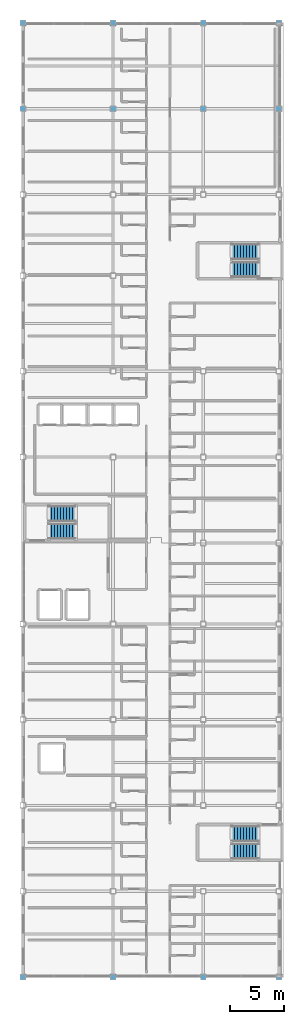
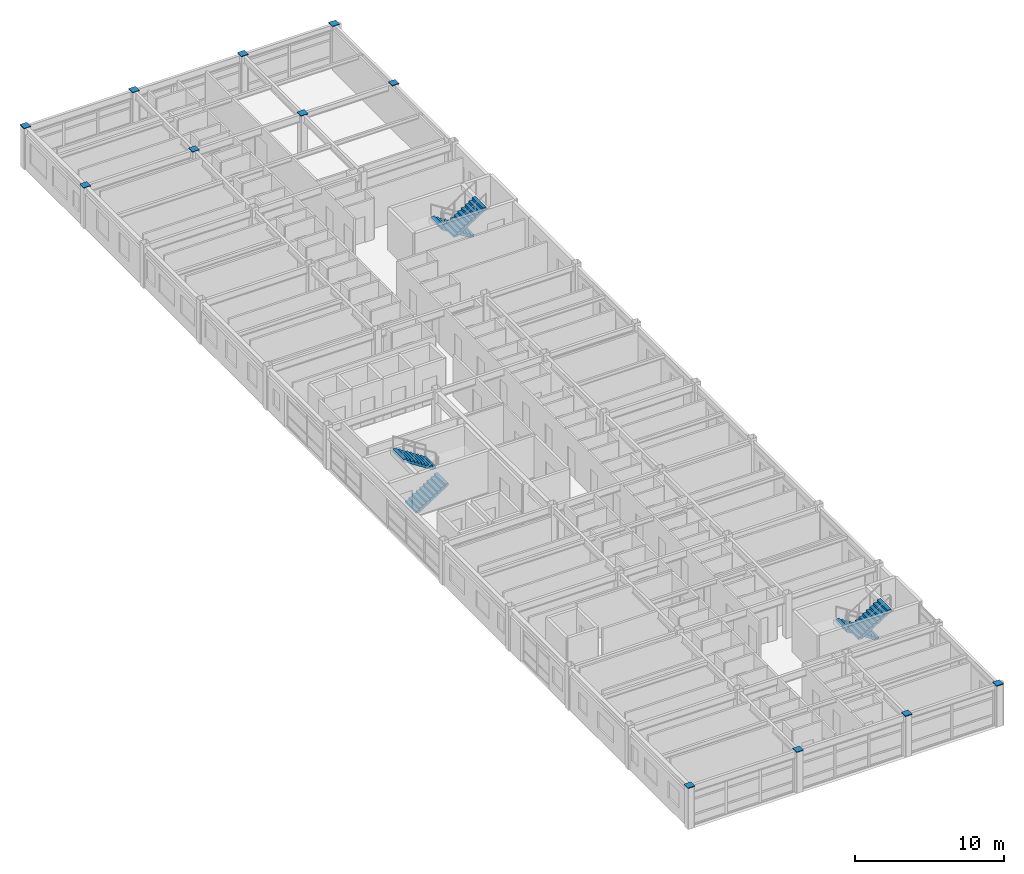
# One storey, part 31 of 33: 12 discrete accessories, 6 stair flights, 3 elements without a shape of their own.
"""IFC4 building model written with IfcOpenShell, lengths in metres."""

from ifc_helpers import new_model, si_unit, direction, frame, origin, origin_2d, place, context, subcontext, project, spatial, polyline, rectangle, outline, extrude, material, layer, layer_set, type_object, element, aggregate, save


model = new_model("IFC4")

# Units and contexts
model_context = context("Model", 3, precision=1e-05, world=origin(), true_north=direction((0.0, 1.0)))
body_context = subcontext(model_context, "Body", "Model", "MODEL_VIEW")
ifc_project = project(units=[si_unit("LENGTHUNIT", "METRE"), si_unit("AREAUNIT", "SQUARE_METRE"), si_unit("VOLUMEUNIT", "CUBIC_METRE"), si_unit("PLANEANGLEUNIT", "RADIAN"), si_unit("MASSUNIT", "GRAM", prefix="KILO")], contexts=[model_context])

# Site, building, storey
site_placement = place(None, origin())
site = spatial("IfcSite", under=ifc_project, at=site_placement, CompositionType="ELEMENT")
building_placement = place(site_placement, origin())
building = spatial("IfcBuilding", under=site, at=building_placement, Name="Kazehara Bluff Congress Hotel", CompositionType="ELEMENT")
storey_placement = place(building_placement, frame((0.0, 0.0, 39.0)))
storey = spatial("IfcBuildingStorey", under=building, at=storey_placement, Name="L09", CompositionType="ELEMENT", Elevation=39.0)

# Stair, stair flights
ifc_material_1 = material(Name="Concrete C36/45", Category="concrete")
stair_type = type_object("IfcStairType", Name="TP-ST-T03", PredefinedType="HALF_TURN_STAIR", material=ifc_material_1)
stair_1_placement = place(storey_placement, origin())
stair_1 = element("IfcStair", 1, at=stair_1_placement, inside=storey, type_object=stair_type, Name="L09 Escape stair ST-10", PredefinedType="HALF_TURN_STAIR")
ifc_material_2 = material(Name="Concrete C36/45", Category="concrete")
stair_flight_type = type_object("IfcStairFlightType", Name="TP-SF-T03", PredefinedType="STRAIGHT", material=ifc_material_2)
stair_flight_1_placement = place(storey_placement, frame((165.64990234375, 21.375, 0.0), z_axis=(0.0, 0.0, 1.0), x_axis=(-1.0, 0.0, 0.0)))
stair_flight_1 = element("IfcStairFlight", 2, at=stair_flight_1_placement, type_object=stair_flight_type, Name="ST-10 flight 1", NumberOfRisers=10, NumberOfTreads=9, PredefinedType="STRAIGHT", RiserHeight=0.18, TreadLength=0.28, context=body_context, shape_type="SweptSolid", body=[
    extrude(outline(polyline([(0.0, 0.0), (0.0, 0.179931640625), (0.280029296875, 0.179931640625), (0.280029296875, 0.360107421875), (0.56005859375, 0.360107421875), (0.56005859375, 0.5400390625), (0.840087890625, 0.5400390625), (0.840087890625, 0.719970703125), (1.1201171875, 0.719970703125), (1.1201171875, 0.89990234375), (1.39990234375, 0.89990234375), (1.39990234375, 1.080078125), (1.679931640625, 1.080078125), (1.679931640625, 1.260009765625), (1.9599609375, 1.260009765625), (1.9599609375, 1.43994140625), (2.239990234375, 1.43994140625), (2.239990234375, 1.6201171875), (2.52001953125, 1.6201171875), (2.52001953125, 1.800048828125), (2.52001953125, 1.429931640625), (0.295654296875, 0.0), (0.0, 0.0)])), frame((0.0, 0.72509765625, 0.0), z_axis=(0.0, -1.0, 0.0), x_axis=(1.0, 0.0, 0.0)), (0.0, 0.0, 1.0), 1.449951171875),
])
stair_flight_2_placement = place(storey_placement, frame((163.1298828125, 19.72509765625, 1.800048828125), z_axis=(0.0, 0.0, 1.0), x_axis=(1.0, 0.0, 0.0)))
stair_flight_2 = element("IfcStairFlight", 3, at=stair_flight_2_placement, type_object=stair_flight_type, Name="ST-10 flight 2", NumberOfRisers=10, NumberOfTreads=9, PredefinedType="STRAIGHT", RiserHeight=0.18, TreadLength=0.28, context=body_context, shape_type="SweptSolid", body=[
    extrude(outline(polyline([(0.0, 0.0), (0.0, 0.179931640625), (0.280029296875, 0.179931640625), (0.280029296875, 0.360107421875), (0.56005859375, 0.360107421875), (0.56005859375, 0.5400390625), (0.840087890625, 0.5400390625), (0.840087890625, 0.719970703125), (1.1201171875, 0.719970703125), (1.1201171875, 0.89990234375), (1.39990234375, 0.89990234375), (1.39990234375, 1.080078125), (1.679931640625, 1.080078125), (1.679931640625, 1.260009765625), (1.9599609375, 1.260009765625), (1.9599609375, 1.43994140625), (2.239990234375, 1.43994140625), (2.239990234375, 1.6201171875), (2.52001953125, 1.6201171875), (2.52001953125, 1.800048828125), (2.52001953125, 1.429931640625), (0.295654296875, 0.0), (0.0, 0.0)])), frame((0.0, 0.72509765625, 0.0), z_axis=(0.0, -1.0, 0.0), x_axis=(1.0, 0.0, 0.0)), (0.0, 0.0, 1.0), 1.449951171875),
])
aggregate(stair_1, [stair_flight_1, stair_flight_2])

stair_2_placement = place(storey_placement, origin())
stair_2 = element("IfcStair", 4, at=stair_2_placement, inside=storey, type_object=stair_type, Name="L09 Escape stair ST-11", PredefinedType="HALF_TURN_STAIR")
stair_flight_3_placement = place(storey_placement, frame((146.10009765625, 49.52490234375, 0.0), z_axis=(0.0, 0.0, 1.0), x_axis=(1.0, 0.0, 0.0)))
stair_flight_3 = element("IfcStairFlight", 5, at=stair_flight_3_placement, type_object=stair_flight_type, Name="ST-11 flight 1", NumberOfRisers=10, NumberOfTreads=9, PredefinedType="STRAIGHT", RiserHeight=0.18, TreadLength=0.28, context=body_context, shape_type="SweptSolid", body=[
    extrude(outline(polyline([(0.0, 0.0), (0.0, 0.179931640625), (0.280029296875, 0.179931640625), (0.280029296875, 0.360107421875), (0.56005859375, 0.360107421875), (0.56005859375, 0.5400390625), (0.840087890625, 0.5400390625), (0.840087890625, 0.719970703125), (1.1201171875, 0.719970703125), (1.1201171875, 0.89990234375), (1.39990234375, 0.89990234375), (1.39990234375, 1.080078125), (1.679931640625, 1.080078125), (1.679931640625, 1.260009765625), (1.9599609375, 1.260009765625), (1.9599609375, 1.43994140625), (2.239990234375, 1.43994140625), (2.239990234375, 1.6201171875), (2.52001953125, 1.6201171875), (2.52001953125, 1.800048828125), (2.52001953125, 1.429931640625), (0.295654296875, 0.0), (0.0, 0.0)])), frame((0.0, 0.72509765625, 0.0), z_axis=(0.0, -1.0, 0.0), x_axis=(1.0, 0.0, 0.0)), (0.0, 0.0, 1.0), 1.449951171875),
])
stair_flight_4_placement = place(storey_placement, frame((148.6201171875, 51.175048828125, 1.800048828125), z_axis=(0.0, 0.0, 1.0), x_axis=(-1.0, 0.0, 0.0)))
stair_flight_4 = element("IfcStairFlight", 6, at=stair_flight_4_placement, type_object=stair_flight_type, Name="ST-11 flight 2", NumberOfRisers=10, NumberOfTreads=9, PredefinedType="STRAIGHT", RiserHeight=0.18, TreadLength=0.28, context=body_context, shape_type="SweptSolid", body=[
    extrude(outline(polyline([(0.0, 0.0), (0.0, 0.179931640625), (0.280029296875, 0.179931640625), (0.280029296875, 0.360107421875), (0.56005859375, 0.360107421875), (0.56005859375, 0.5400390625), (0.840087890625, 0.5400390625), (0.840087890625, 0.719970703125), (1.1201171875, 0.719970703125), (1.1201171875, 0.89990234375), (1.39990234375, 0.89990234375), (1.39990234375, 1.080078125), (1.679931640625, 1.080078125), (1.679931640625, 1.260009765625), (1.9599609375, 1.260009765625), (1.9599609375, 1.43994140625), (2.239990234375, 1.43994140625), (2.239990234375, 1.6201171875), (2.52001953125, 1.6201171875), (2.52001953125, 1.800048828125), (2.52001953125, 1.429931640625), (0.295654296875, 0.0), (0.0, 0.0)])), frame((0.0, 0.72509765625, 0.0), z_axis=(0.0, -1.0, 0.0), x_axis=(1.0, 0.0, 0.0)), (0.0, 0.0, 1.0), 1.449951171875),
])
aggregate(stair_2, [stair_flight_3, stair_flight_4])

stair_3_placement = place(storey_placement, origin())
stair_3 = element("IfcStair", 7, at=stair_3_placement, inside=storey, type_object=stair_type, Name="L09 Escape stair ST-12", PredefinedType="HALF_TURN_STAIR")
stair_flight_5_placement = place(storey_placement, frame((165.64990234375, 75.574951171875, 0.0), z_axis=(0.0, 0.0, 1.0), x_axis=(-1.0, 0.0, 0.0)))
stair_flight_5 = element("IfcStairFlight", 8, at=stair_flight_5_placement, type_object=stair_flight_type, Name="ST-12 flight 1", NumberOfRisers=10, NumberOfTreads=9, PredefinedType="STRAIGHT", RiserHeight=0.18, TreadLength=0.28, context=body_context, shape_type="SweptSolid", body=[
    extrude(outline(polyline([(0.0, 0.0), (0.0, 0.179931640625), (0.280029296875, 0.179931640625), (0.280029296875, 0.360107421875), (0.56005859375, 0.360107421875), (0.56005859375, 0.5400390625), (0.840087890625, 0.5400390625), (0.840087890625, 0.719970703125), (1.1201171875, 0.719970703125), (1.1201171875, 0.89990234375), (1.39990234375, 0.89990234375), (1.39990234375, 1.080078125), (1.679931640625, 1.080078125), (1.679931640625, 1.260009765625), (1.9599609375, 1.260009765625), (1.9599609375, 1.43994140625), (2.239990234375, 1.43994140625), (2.239990234375, 1.6201171875), (2.52001953125, 1.6201171875), (2.52001953125, 1.800048828125), (2.52001953125, 1.429931640625), (0.295654296875, 0.0), (0.0, 0.0)])), frame((0.0, 0.72509765625, 0.0), z_axis=(0.0, -1.0, 0.0), x_axis=(1.0, 0.0, 0.0)), (0.0, 0.0, 1.0), 1.449951171875),
])
stair_flight_6_placement = place(storey_placement, frame((163.1298828125, 73.925048828125, 1.800048828125), z_axis=(0.0, 0.0, 1.0), x_axis=(1.0, 0.0, 0.0)))
stair_flight_6 = element("IfcStairFlight", 9, at=stair_flight_6_placement, type_object=stair_flight_type, Name="ST-12 flight 2", NumberOfRisers=10, NumberOfTreads=9, PredefinedType="STRAIGHT", RiserHeight=0.18, TreadLength=0.28, context=body_context, shape_type="SweptSolid", body=[
    extrude(outline(polyline([(0.0, 0.0), (0.0, 0.179931640625), (0.280029296875, 0.179931640625), (0.280029296875, 0.360107421875), (0.56005859375, 0.360107421875), (0.56005859375, 0.5400390625), (0.840087890625, 0.5400390625), (0.840087890625, 0.719970703125), (1.1201171875, 0.719970703125), (1.1201171875, 0.89990234375), (1.39990234375, 0.89990234375), (1.39990234375, 1.080078125), (1.679931640625, 1.080078125), (1.679931640625, 1.260009765625), (1.9599609375, 1.260009765625), (1.9599609375, 1.43994140625), (2.239990234375, 1.43994140625), (2.239990234375, 1.6201171875), (2.52001953125, 1.6201171875), (2.52001953125, 1.800048828125), (2.52001953125, 1.429931640625), (0.295654296875, 0.0), (0.0, 0.0)])), frame((0.0, 0.72509765625, 0.0), z_axis=(0.0, -1.0, 0.0), x_axis=(1.0, 0.0, 0.0)), (0.0, 0.0, 1.0), 1.449951171875),
])
aggregate(stair_3, [stair_flight_5, stair_flight_6])

# Discrete accessories
ifc_material_3 = material(Name="Steel SN490B", Category="steel")
ifc_layer = layer(ifc_material_3, 0.06005859375)
ifc_layer_set = layer_set([ifc_layer], Name="Steel SN490B")
discrete_accessory_type = type_object("IfcDiscreteAccessoryType", Name="TP-CAP-BLK", PredefinedType="BRACKET", material=ifc_layer_set)
for number, where, z_axis, x_axis, name in (
    (10, (143.699951171875, 8.0, 3.349853515625), (0.0, 0.0, 1.0), (1.0, 0.0, 0.0), "Hollow column welded cap plate L09 1363"),
    (11, (143.699951171875, 88.89990234375, 3.349853515625), (0.0, 0.0, 1.0), (1.0, 0.0, 0.0), "Hollow column welded cap plate L09 1372"),
    (12, (143.699951171875, 96.89990234375, 3.349853515625), (0.0, 0.0, 1.0), (1.0, 0.0, 0.0), "Hollow column welded cap plate L09 1373"),
    (13, (152.10009765625, 8.0, 3.349853515625), (0.0, 0.0, 1.0), (1.0, 0.0, 0.0), "Hollow column welded cap plate L09 1374"),
    (14, (152.10009765625, 88.89990234375, 3.349853515625), (0.0, 0.0, 1.0), (1.0, 0.0, 0.0), "Hollow column welded cap plate L09 1383"),
    (15, (152.10009765625, 96.89990234375, 3.349853515625), (0.0, 0.0, 1.0), (1.0, 0.0, 0.0), "Hollow column welded cap plate L09 1384"),
    (16, (160.5, 8.0, 3.349853515625), (0.0, 0.0, 1.0), (1.0, 0.0, 0.0), "Hollow column welded cap plate L09 1385"),
    (17, (160.5, 88.89990234375, 3.349853515625), (0.0, 0.0, 1.0), (1.0, 0.0, 0.0), "Hollow column welded cap plate L09 1394"),
    (18, (160.5, 96.89990234375, 3.349853515625), (0.0, 0.0, 1.0), (1.0, 0.0, 0.0), "Hollow column welded cap plate L09 1395"),
    (19, (167.550048828125, 8.0, 3.349853515625), (0.0, 0.0, 1.0), (1.0, 0.0, 0.0), "Hollow column welded cap plate L09 1396"),
    (20, (167.550048828125, 88.89990234375, 3.349853515625), (0.0, 0.0, 1.0), (1.0, 0.0, 0.0), "Hollow column welded cap plate L09 1405"),
    (21, (167.550048828125, 96.89990234375, 3.349853515625), (0.0, 0.0, 1.0), (1.0, 0.0, 0.0), "Hollow column welded cap plate L09 1406"),
):
    element("IfcDiscreteAccessory", number, at=place(storey_placement, frame(where, z_axis=z_axis, x_axis=x_axis)), inside=storey, type_object=discrete_accessory_type, Name=name, PredefinedType="BRACKET", context=body_context, shape_type="SweptSolid", body=[
        extrude(rectangle(XDim=0.5400390625, YDim=0.5400390625, at=origin_2d()), origin(), (0.0, 0.0, 1.0), 0.06005859375),
    ])

save(model, "model.ifc")
